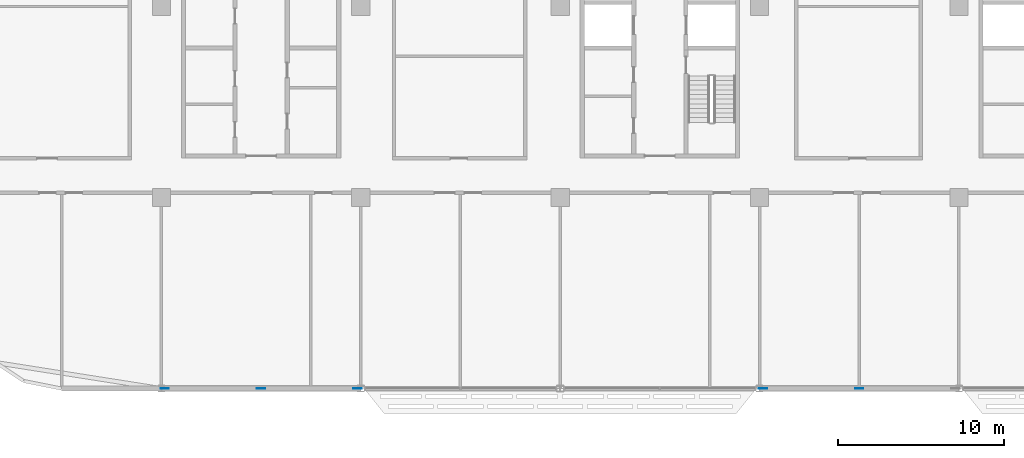
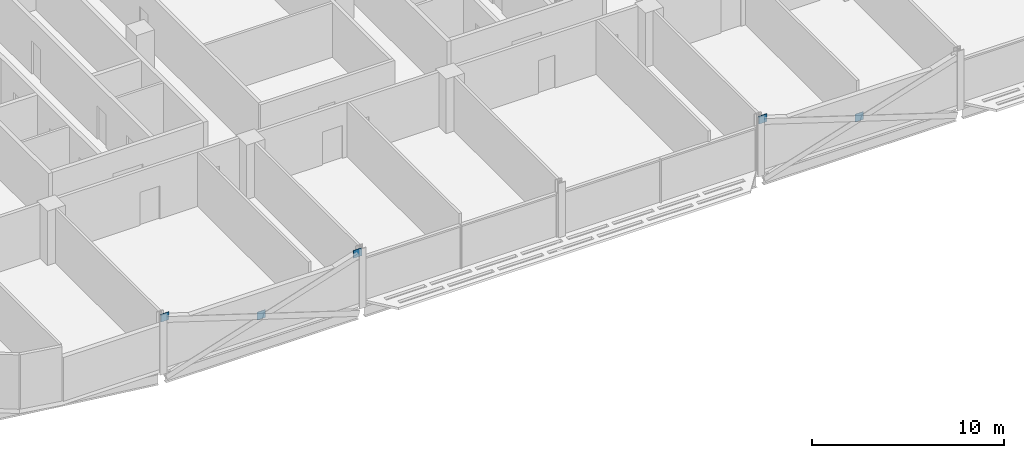
# One storey, part 19 of 29: 5 discrete accessories.
"""IFC4 building model written with IfcOpenShell, lengths in metres."""

from ifc_helpers import new_model, si_unit, direction, frame, origin, origin_2d, place, context, subcontext, project, spatial, rectangle, extrude, material, layer, layer_set, type_object, element, save


model = new_model("IFC4")

# Units and contexts
model_context = context("Model", 3, precision=1e-05, world=origin(), true_north=direction((0.0, 1.0)))
body_context = subcontext(model_context, "Body", "Model", "MODEL_VIEW")
ifc_project = project(units=[si_unit("LENGTHUNIT", "METRE"), si_unit("AREAUNIT", "SQUARE_METRE"), si_unit("VOLUMEUNIT", "CUBIC_METRE"), si_unit("PLANEANGLEUNIT", "RADIAN"), si_unit("MASSUNIT", "GRAM", prefix="KILO")], contexts=[model_context])

# Site, building, storey
site_placement = place(None, origin())
site = spatial("IfcSite", under=ifc_project, at=site_placement, CompositionType="ELEMENT")
building_placement = place(site_placement, origin())
building = spatial("IfcBuilding", under=site, at=building_placement, Name="Mahtab Terrace Research Tower", CompositionType="ELEMENT")
storey_placement = place(building_placement, frame((0.0, 0.0, 197.699951171875)))
storey = spatial("IfcBuildingStorey", under=building, at=storey_placement, Name="L47", CompositionType="ELEMENT", Elevation=197.699951171875)

# Discrete accessories
ifc_material = material(Name="Steel ASTM A992 Gr 50", Category="steel")
ifc_layer = layer(ifc_material, 0.030029296875)
ifc_layer_set = layer_set([ifc_layer], Name="Gusset plate 500x500x30")
discrete_accessory_type = type_object("IfcDiscreteAccessoryType", Name="Gusset plate 500x500x30", PredefinedType="USERDEFINED", material=ifc_layer_set)
for number, where, z_axis, x_axis, name in (
    (1, (-29.79931640625, -23.0, 2.870849609375), (0.0, 0.0, 1.0), (1.0, 0.0, 0.0), "Gusset plate"),
    (2, (-24.0, -23.0, 0.970947265625), (0.0, 0.0, 1.0), (1.0, 0.0, 0.0), "Gusset plate"),
    (3, (-18.20068359375, -23.0, 2.870849609375), (0.0, 0.0, 1.0), (1.0, 0.0, 0.0), "Gusset plate"),
    (4, (6.20068359375, -23.0, 2.870849609375), (0.0, 0.0, 1.0), (1.0, 0.0, 0.0), "Gusset plate"),
    (5, (12.0, -23.0, 0.970947265625), (0.0, 0.0, 1.0), (1.0, 0.0, 0.0), "Gusset plate"),
):
    element("IfcDiscreteAccessory", number, at=place(storey_placement, frame(where, z_axis=z_axis, x_axis=x_axis)), inside=storey, type_object=discrete_accessory_type, Name=name, ObjectType="GUSSET PLATE", PredefinedType="USERDEFINED", context=body_context, shape_type="SweptSolid", body=[
        extrude(rectangle(XDim=0.5, YDim=0.030029296875, at=origin_2d()), origin(), (0.0, 0.0, 1.0), 0.5),
    ])

save(model, "model.ifc")
